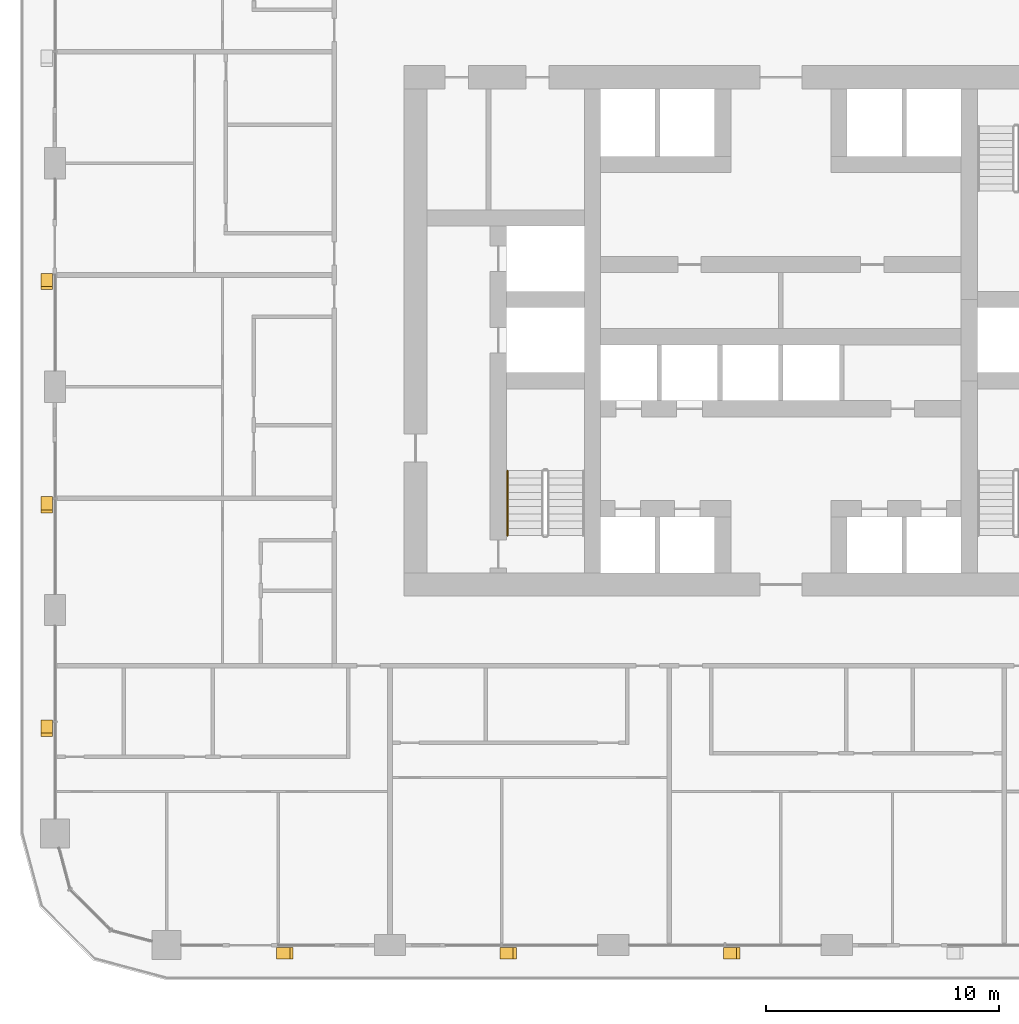
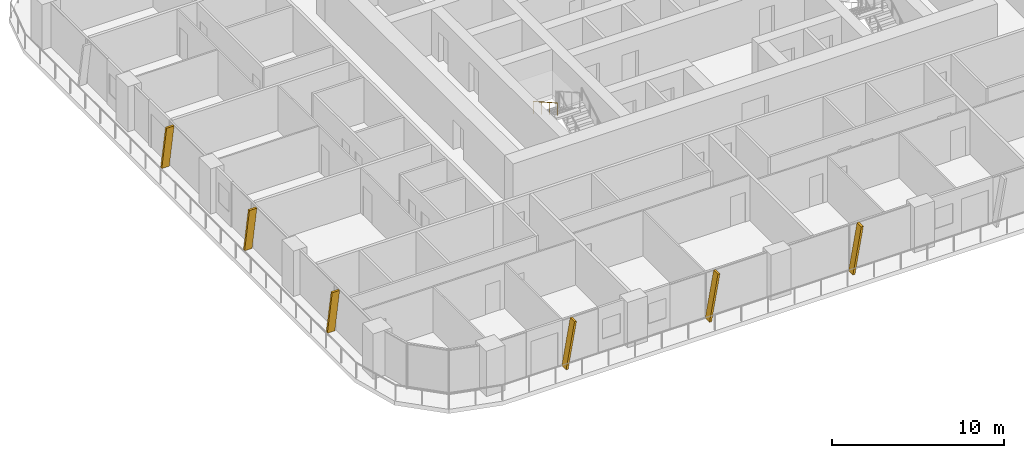
# One storey, part 16 of 21: 6 shading devices, 1 railing.
"""IFC4 building model written with IfcOpenShell, lengths in metres."""

from ifc_helpers import new_model, si_unit, direction, frame, origin, origin_2d, place, context, subcontext, project, spatial, polyline, circle, outline, extrude, material, type_object, element, save


model = new_model("IFC4")

# Units and contexts
model_context = context("Model", 3, precision=1e-05, world=origin(), true_north=direction((0.0, 1.0)))
body_context = subcontext(model_context, "Body", "Model", "MODEL_VIEW")
ifc_project = project(units=[si_unit("LENGTHUNIT", "METRE"), si_unit("AREAUNIT", "SQUARE_METRE"), si_unit("VOLUMEUNIT", "CUBIC_METRE"), si_unit("PLANEANGLEUNIT", "RADIAN"), si_unit("MASSUNIT", "GRAM", prefix="KILO")], contexts=[model_context])

# Site, building, storey
site_placement = place(None, origin())
site = spatial("IfcSite", under=ifc_project, at=site_placement, CompositionType="ELEMENT")
building_placement = place(site_placement, origin())
building = spatial("IfcBuilding", under=site, at=building_placement, Name="Madar Terraces", CompositionType="ELEMENT")
storey_placement = place(building_placement, frame((0.0, 0.0, 39.89990234375)))
storey = spatial("IfcBuildingStorey", under=building, at=storey_placement, Name="L09", CompositionType="ELEMENT", Elevation=39.89990234375)

# Shading devices
ifc_material_1 = material(Name="Aluminium, black anodised", Category="aluminium")
shading_device_type = type_object("IfcShadingDeviceType", Name="Facade fin blade 140 x 500", PredefinedType="USERDEFINED", material=ifc_material_1)
shading_device_1_placement = place(storey_placement, frame((9.530029296875, -0.35009765625, 0.0), z_axis=(0.0, 0.0, 1.0), x_axis=(1.0, 0.0, 0.0)))
element("IfcShadingDevice", 1, at=shading_device_1_placement, inside=storey, type_object=shading_device_type, Name="FIN L09 S1", ObjectType="FIN", PredefinedType="USERDEFINED", context=body_context, shape_type="SweptSolid", body=[
    extrude(outline(polyline([(0.0, 0.0), (0.139892578125, 0.0), (0.704345703125, 3.2001953125), (0.564208984375, 3.2001953125), (0.0, 0.0)])), frame((0.0, 0.25, 0.0), z_axis=(0.0, -1.0, 0.0), x_axis=(1.0, 0.0, 0.0)), (0.0, 0.0, 1.0), 0.5),
])
for number, where, z_axis, x_axis, name in (
    (2, (19.1298828125, -0.35009765625, 0.0), (0.0, 0.0, 1.0), (1.0, 0.0, 0.0), "FIN L09 S2"),
    (3, (28.72998046875, -0.35009765625, 0.0), (0.0, 0.0, 1.0), (1.0, 0.0, 0.0), "FIN L09 S3"),
    (4, (-0.35009765625, 28.8701171875, 0.0), (0.0, 0.0, 1.0), (0.0, -1.0, 0.0), "FIN L09 W2"),
    (5, (-0.35009765625, 19.27001953125, 0.0), (0.0, 0.0, 1.0), (0.0, -1.0, 0.0), "FIN L09 W3"),
):
    element("IfcShadingDevice", number, at=place(storey_placement, frame(where, z_axis=z_axis, x_axis=x_axis)), inside=storey, type_object=shading_device_type, Name=name, ObjectType="FIN", PredefinedType="USERDEFINED", context=body_context, shape_type="SweptSolid", body=[
        extrude(outline(polyline([(0.0, 0.0), (0.14013671875, 0.0), (0.704345703125, 3.2001953125), (0.564208984375, 3.2001953125), (0.0, 0.0)])), frame((0.0, 0.25, 0.0), z_axis=(0.0, -1.0, 0.0), x_axis=(1.0, 0.0, 0.0)), (0.0, 0.0, 1.0), 0.5),
    ])
shading_device_2_placement = place(storey_placement, frame((-0.35009765625, 9.669921875, 0.0), z_axis=(0.0, 0.0, 1.0), x_axis=(0.0, -1.0, 0.0)))
element("IfcShadingDevice", 6, at=shading_device_2_placement, inside=storey, type_object=shading_device_type, Name="FIN L09 W4", ObjectType="FIN", PredefinedType="USERDEFINED", context=body_context, shape_type="SweptSolid", body=[
    extrude(outline(polyline([(0.0, 0.0), (0.139892578125, 0.0), (0.704345703125, 3.2001953125), (0.564208984375, 3.2001953125), (0.0, 0.0)])), frame((0.0, 0.25, 0.0), z_axis=(0.0, -1.0, 0.0), x_axis=(1.0, 0.0, 0.0)), (0.0, 0.0, 1.0), 0.5),
])

# Railing
ifc_material_2 = material(Name="Stainless steel railing", Category="steel")
railing_type = type_object("IfcRailingType", Name="Stair handrail 900", PredefinedType="HANDRAIL", material=ifc_material_2)
railing_placement = place(storey_placement, frame((19.449951171875, 20.389892578125, 1.925048828125)))
element("IfcRailing", 7, at=railing_placement, inside=storey, type_object=railing_type, Name="L09 ST1 stair handrail 2", PredefinedType="HANDRAIL", context=body_context, shape_type="SweptSolid", body=[
    extrude(circle(Radius=0.02392578125, at=origin_2d()), frame((0.0, 0.0, 0.8759765625), z_axis=(0.0, -0.870815363784, 0.491610213684), x_axis=(1.0, 0.0, 0.0)), (0.0, 0.0, 1.0), 3.20361328125),
    extrude(circle(Radius=0.02099609375, at=origin_2d()), origin(), (0.0, 0.0, 1.0), 0.851806640625),
    extrude(circle(Radius=0.02099609375, at=origin_2d()), frame((0.0, -0.929931640625, 0.52490234375)), (0.0, 0.0, 1.0), 0.851806640625),
    extrude(circle(Radius=0.02099609375, at=origin_2d()), frame((0.0, -1.85986328125, 1.050048828125)), (0.0, 0.0, 1.0), 0.851806640625),
    extrude(circle(Radius=0.02099609375, at=origin_2d()), frame((0.0, -2.789794921875, 1.574951171875)), (0.0, 0.0, 1.0), 0.851806640625),
])

save(model, "model.ifc")
